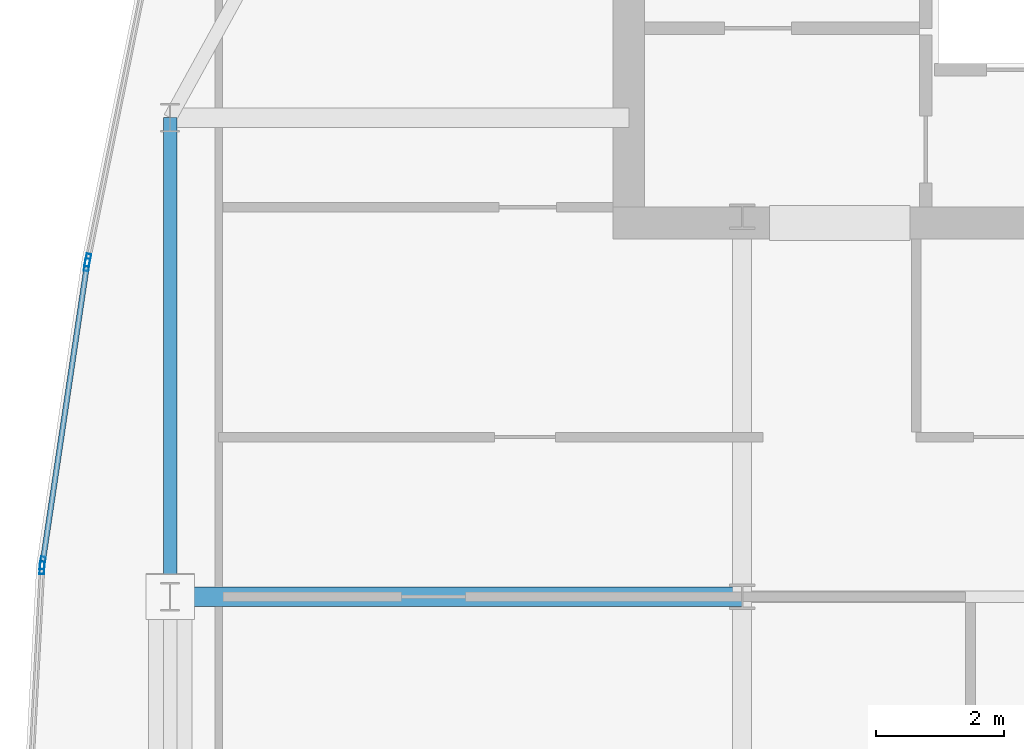
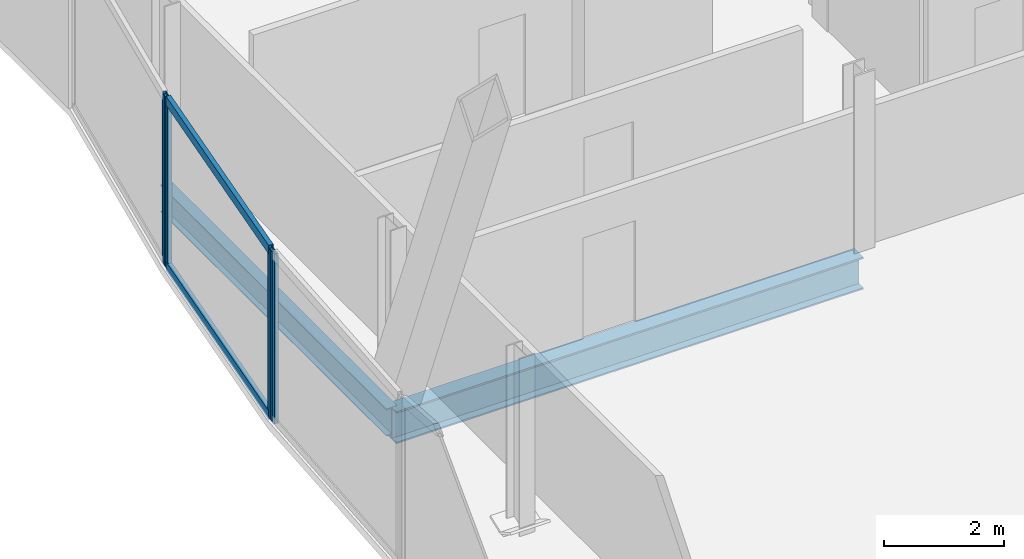
# One storey, part 12 of 31: 6 members, 2 beams, 3 elements without a shape of their own.
"""IFC4 building model written with IfcOpenShell, lengths in metres."""

import ifcopenshell
import ifcopenshell.guid

model = None  # the IFC model being written
_history = None  # IfcOwnerHistory: only IFC2X3 demands one
_inside = {}  # id of a spatial element -> (the spatial element, [elements in it])
_under = {}  # id of a project, library or spatial element -> (it, [spatial elements below it])
_declared = {}  # id of a project -> (the project, [libraries it declares])
_typed = {}  # id of a type object -> (the type object, [elements of that type])
_made_of = {}  # id of a material, layer set ... -> (it, [elements and type objects made of it])


def new_model(schema):
    """Start an empty IFC model of exactly this schema.

    Asked for "IFC4X3", IfcOpenShell would pick the latest addendum, in which some entities
    have other attributes; the version numbers below select the first issue.
    IFC2X3 requires an IfcOwnerHistory on every rooted entity: one is made here for all.
    """
    global model, _history
    if schema == "IFC4X3":
        model = ifcopenshell.file(schema_version=(4, 3, 0, 0))
    else:
        model = ifcopenshell.file(schema=schema)
    _inside.clear()
    _under.clear()
    _declared.clear()
    _typed.clear()
    _made_of.clear()
    _history = None
    if model.schema == "IFC2X3":
        org = make("IfcOrganization", Name="unknown")
        user = make(
            "IfcPersonAndOrganization",
            ThePerson=make("IfcPerson", FamilyName="unknown"),
            TheOrganization=org,
        )
        app = make(
            "IfcApplication",
            ApplicationDeveloper=org,
            Version="unknown",
            ApplicationFullName="unknown",
            ApplicationIdentifier="unknown",
        )
        _history = make(
            "IfcOwnerHistory",
            OwningUser=user,
            OwningApplication=app,
            ChangeAction="ADDED",
            CreationDate=0,
        )
    return model


def make(cls, **values):
    """One entity of the class cls with the attributes given. An attribute that is None is left unset."""
    return model.create_entity(
        cls, **{name: value for name, value in values.items() if value is not None}
    )


def rooted(cls, **values):
    """An entity with a GlobalId (a new one), such as an element, a storey or a relation."""
    return make(cls, GlobalId=ifcopenshell.guid.new(), OwnerHistory=_history, **values)


def si_unit(unit_type, name, prefix=None):
    """IfcSIUnit, for example si_unit("LENGTHUNIT", "METRE", prefix="MILLI")."""
    return make("IfcSIUnit", UnitType=unit_type, Prefix=prefix, Name=name)


def assignment(units):
    """IfcUnitAssignment: the units of a project."""
    return None if units is None else make("IfcUnitAssignment", Units=units)


def point(xyz):
    """IfcCartesianPoint."""
    return None if xyz is None else make("IfcCartesianPoint", Coordinates=xyz)


def direction(xyz):
    """IfcDirection."""
    return None if xyz is None else make("IfcDirection", DirectionRatios=xyz)


def frame(location, z_axis=None, x_axis=None):
    """IfcAxis2Placement3D, a coordinate frame: its origin and axes. An axis left out is left unset."""
    return make(
        "IfcAxis2Placement3D",
        Location=point(location),
        Axis=direction(z_axis),
        RefDirection=direction(x_axis),
    )


def frame_2d(location, x_axis=None):
    """IfcAxis2Placement2D, a coordinate frame in the plane: its origin and x axis."""
    return make(
        "IfcAxis2Placement2D", Location=point(location), RefDirection=direction(x_axis)
    )


def origin():
    """The frame at (0, 0, 0) with its axes left unset."""
    return frame((0.0, 0.0, 0.0))


def origin_2d():
    """The frame at (0, 0) in the plane with its x axis left unset."""
    return frame_2d((0.0, 0.0))


def place(relative_to, where):
    """IfcLocalPlacement: puts the frame where relative to a parent placement (None: the world)."""
    return make(
        "IfcLocalPlacement", PlacementRelTo=relative_to, RelativePlacement=where
    )


def context(
    kind, dimensions, precision=None, world=None, true_north=None, identifier=None
):
    """IfcGeometricRepresentationContext, for example the 3D "Model" context."""
    return make(
        "IfcGeometricRepresentationContext",
        ContextIdentifier=identifier,
        ContextType=kind,
        CoordinateSpaceDimension=dimensions,
        Precision=precision,
        WorldCoordinateSystem=world,
        TrueNorth=true_north,
    )


def subcontext(parent, identifier, kind, view, scale=None):
    """IfcGeometricRepresentationSubContext, for example "Body" below "Model"."""
    return make(
        "IfcGeometricRepresentationSubContext",
        ContextIdentifier=identifier,
        ContextType=kind,
        ParentContext=parent,
        TargetScale=scale,
        TargetView=view,
    )


def project(units=None, contexts=None):
    """IfcProject with its units and contexts."""
    return rooted(
        "IfcProject",
        Name="project",
        RepresentationContexts=contexts,
        UnitsInContext=assignment(units),
    )


def spatial(cls, under=None, at=None, **own):
    """A site, building, storey or space (cls), placed at a placement, below another one or the project."""
    s = rooted(cls, ObjectPlacement=at, **own)
    if under is not None:
        _under.setdefault(under.id(), (under, []))[1].append(s)
    return s


def profile(cls, at=None, kind="AREA", **sizes):
    """A parametric profile (cls). Its sizes go by their IFC names, for example OverallWidth=200.0."""
    return make(cls, ProfileType=kind, Position=at, **sizes)


def hollow_rectangle(**sizes):
    """IfcRectangleHollowProfileDef."""
    return profile("IfcRectangleHollowProfileDef", **sizes)


def i_section(**sizes):
    """IfcIShapeProfileDef."""
    return profile("IfcIShapeProfileDef", **sizes)


def extrude(swept, where, along, depth):
    """IfcExtrudedAreaSolid: the profile swept, set in the frame where, extruded along a direction by depth."""
    return make(
        "IfcExtrudedAreaSolid",
        SweptArea=swept,
        Position=where,
        ExtrudedDirection=direction(along),
        Depth=depth,
    )


def shape(context_of_items, identifier, shape_type, items):
    """IfcShapeRepresentation: the items that make up one representation, for example the "Body"."""
    return make(
        "IfcShapeRepresentation",
        ContextOfItems=context_of_items,
        RepresentationIdentifier=identifier,
        RepresentationType=shape_type,
        Items=items,
    )


def material(Name=None, Category=None):
    """IfcMaterial."""
    return make("IfcMaterial", Name=Name, Category=Category)


def material_profile(
    of_material, cross_section, Name=None, Category=None, Priority=None
):
    """IfcMaterialProfile: a cross section and its material."""
    return make(
        "IfcMaterialProfile",
        Name=Name,
        Material=of_material,
        Profile=cross_section,
        Priority=Priority,
        Category=Category,
    )


def profile_set(profiles, Name=None, composite=None):
    """IfcMaterialProfileSet."""
    return make(
        "IfcMaterialProfileSet",
        Name=Name,
        MaterialProfiles=profiles,
        CompositeProfile=composite,
    )


def made_of(thing, what):
    """Note that an element or type object is made of a material, layer set ...; save() writes the relation."""
    if what is not None:
        _made_of.setdefault(what.id(), (what, []))[1].append(thing)
    return thing


def type_object(cls, material=None, **own):
    """A type object (cls), such as IfcWallType, which elements share."""
    return made_of(rooted(cls, **own), material)


def element(
    cls,
    number,
    at=None,
    inside=None,
    cuts=None,
    type_object=None,
    material=None,
    context=None,
    identifier="Body",
    shape_type=None,
    held_by="IfcProductDefinitionShape",
    body=None,
    shapes=None,
    **own,
):
    """One element of the class cls, such as IfcWall. Its Tag is "e" and its number.

    at: its placement. inside: the storey or other place that contains it. cuts: it is an
    opening in that element (IfcRelVoidsElement). A single representation is given by context,
    identifier, shape_type and body (its items); several are given by shapes. held_by: the class
    of the entity that holds the representations. save() writes the other relations.
    """
    e = rooted(cls, Tag="e%d" % number, ObjectPlacement=at, **own)
    if body is not None:
        shapes = [shape(context, identifier, shape_type, body)]
    if shapes is not None:
        e.Representation = make(held_by, Representations=shapes)
    if inside is not None:
        _inside.setdefault(inside.id(), (inside, []))[1].append(e)
    if cuts is not None:
        rooted(
            "IfcRelVoidsElement", RelatingBuildingElement=cuts, RelatedOpeningElement=e
        )
    if type_object is not None:
        _typed.setdefault(type_object.id(), (type_object, []))[1].append(e)
    return made_of(e, material)


def aggregate(whole, parts):
    """IfcRelAggregates: a whole, such as a stair, and the parts it consists of."""
    return rooted("IfcRelAggregates", RelatingObject=whole, RelatedObjects=parts)


def save(model, path):
    """Write the relations noted so far, then the file.

    IfcRelAggregates (storeys below a building ...), IfcRelContainedInSpatialStructure (elements
    in a storey), IfcRelDefinesByType, IfcRelAssociatesMaterial and IfcRelDeclares: one each for
    every whole, place, type object, material and project.
    """
    for whole, parts in _under.values():
        aggregate(whole, parts)
    for where, things in _inside.values():
        rooted(
            "IfcRelContainedInSpatialStructure",
            RelatedElements=things,
            RelatingStructure=where,
        )
    for kind, things in _typed.values():
        rooted("IfcRelDefinesByType", RelatedObjects=things, RelatingType=kind)
    for what, things in _made_of.values():
        rooted("IfcRelAssociatesMaterial", RelatedObjects=things, RelatingMaterial=what)
    for by, libraries in _declared.values():
        rooted("IfcRelDeclares", RelatingContext=by, RelatedDefinitions=libraries)
    model.write(path)


model = new_model("IFC4")

# Units and contexts
model_context = context("Model", 3, precision=1e-05, world=origin(), true_north=direction((0.0, 1.0)))
body_context = subcontext(model_context, "Body", "Model", "MODEL_VIEW")
ifc_project = project(units=[si_unit("LENGTHUNIT", "METRE"), si_unit("AREAUNIT", "SQUARE_METRE"), si_unit("VOLUMEUNIT", "CUBIC_METRE"), si_unit("PLANEANGLEUNIT", "RADIAN"), si_unit("MASSUNIT", "GRAM", prefix="KILO")], contexts=[model_context])

# Site, building, storey
site_placement = place(None, origin())
site = spatial("IfcSite", under=ifc_project, at=site_placement, CompositionType="ELEMENT")
building_placement = place(site_placement, origin())
building = spatial("IfcBuilding", under=site, at=building_placement, Name="Khoronbel Lancet Exchange", CompositionType="ELEMENT")
storey_placement = place(building_placement, frame((0.0, 0.0, 273.39990234375)))
storey = spatial("IfcBuildingStorey", under=building, at=storey_placement, Name="L70", CompositionType="ELEMENT", Elevation=273.39990234375)

# Beams
ifc_material_1 = material(Name="Steel S355", Category="steel")
ifc_material_profile_1 = material_profile(ifc_material_1, i_section(OverallWidth=0.300048828125, OverallDepth=0.64990234375, WebThickness=0.01611328125, FlangeThickness=0.031005859375, at=origin_2d()), Name="HEB 650")
ifc_profile_set_1 = profile_set([ifc_material_profile_1], Name="Steel S355")
beam_type_1 = type_object("IfcBeamType", Name="BM-BG4", PredefinedType="BEAM", material=ifc_profile_set_1)
beam_1_placement = place(storey_placement, frame((9.27001953125, 35.699951171875, -0.48486328125), z_axis=(1.0, 0.0, 0.0), x_axis=(0.0, 1.0, 0.0)))
element("IfcBeam", 1, at=beam_1_placement, inside=storey, type_object=beam_type_1, Name="Level L70 west lens tie girder LG4W", PredefinedType="BEAM", context=body_context, shape_type="SweptSolid", body=[
    extrude(i_section(OverallWidth=0.300048828125, OverallDepth=0.64990234375, WebThickness=0.01611328125, FlangeThickness=0.031005859375, at=origin_2d()), origin(), (0.0, 0.0, 1.0), 8.955078125),
])
ifc_material_profile_2 = material_profile(ifc_material_1, i_section(OverallWidth=0.2099609375, OverallDepth=0.550048828125, WebThickness=0.010986328125, FlangeThickness=0.01708984375, at=origin_2d()), Name="IPE 550")
ifc_profile_set_2 = profile_set([ifc_material_profile_2], Name="Steel S355")
beam_type_2 = type_object("IfcBeamType", Name="BM-BSP3", PredefinedType="SPANDREL", material=ifc_profile_set_2)
beam_2_placement = place(storey_placement, frame((9.27001953125, 43.199951171875, -0.434814453125), z_axis=(0.0, -1.0, 0.0), x_axis=(1.0, 0.0, 0.0)))
element("IfcBeam", 2, at=beam_2_placement, inside=storey, type_object=beam_type_2, Name="Level L70 perimeter spandrel beam SP17", PredefinedType="SPANDREL", context=body_context, shape_type="SweptSolid", body=[
    extrude(i_section(OverallWidth=0.2099609375, OverallDepth=0.550048828125, WebThickness=0.010986328125, FlangeThickness=0.01708984375, at=origin_2d()), origin(), (0.0, 0.0, 1.0), 7.5),
])

# Curtain wall, member
ifc_material_2 = material(Name="Low-E Solar Control Insulating Glass", Category="glass")
curtain_wall_type = type_object("IfcCurtainWallType", Name="CW-4", PredefinedType="NOTDEFINED", material=ifc_material_2)
curtain_wall_1_placement = place(storey_placement, origin())
curtain_wall_1 = element("IfcCurtainWall", 3, at=curtain_wall_1_placement, inside=storey, type_object=curtain_wall_type, Name="Unitised curtain wall CW-L70-E07", PredefinedType="NOTDEFINED")
ifc_material_3 = material(Name="Bronze-Anodised Aluminium 6063-T6", Category="aluminium")
ifc_material_profile_3 = material_profile(ifc_material_3, hollow_rectangle(XDim=0.074951171875, YDim=0.199951171875, WallThickness=0.0048828125, at=origin_2d()), Name="ALU MULLION 75x200")
ifc_profile_set_3 = profile_set([ifc_material_profile_3], Name="Bronze-Anodised Aluminium 6063-T6")
member_type_1 = type_object("IfcMemberType", Name="MEM-CWM2", PredefinedType="MULLION", material=ifc_profile_set_3)
member_1_placement = place(storey_placement, frame((7.265869140625, 36.153564453125, 0.0), z_axis=(0.0, 0.0, 1.0), x_axis=(-0.998521367155, 0.05436064141, 0.0)))
member_1 = element("IfcMember", 4, at=member_1_placement, type_object=member_type_1, Name="CW4 mullion 2", PredefinedType="MULLION", context=body_context, shape_type="SweptSolid", body=[
    extrude(hollow_rectangle(XDim=0.074951171875, YDim=0.199951171875, WallThickness=0.0048828125, at=origin_2d()), origin(), (0.0, 0.0, 1.0), 3.440185546875),
])
aggregate(curtain_wall_1, [member_1])

# Curtain wall, members
curtain_wall_2_placement = place(storey_placement, origin())
curtain_wall_2 = element("IfcCurtainWall", 5, at=curtain_wall_2_placement, inside=storey, type_object=curtain_wall_type, Name="Unitised curtain wall CW-L70-E08", PredefinedType="NOTDEFINED")
member_2_placement = place(storey_placement, frame((7.2734375, 36.22802734375, 0.0), z_axis=(0.0, 0.0, 1.0), x_axis=(-0.989113824461, 0.147152445645, 0.0)))
member_2 = element("IfcMember", 6, at=member_2_placement, type_object=member_type_1, Name="CW4 mullion 1", PredefinedType="MULLION", context=body_context, shape_type="SweptSolid", body=[
    extrude(hollow_rectangle(XDim=0.074951171875, YDim=0.199951171875, WallThickness=0.0048828125, at=origin_2d()), origin(), (0.0, 0.0, 1.0), 3.440185546875),
])
member_3_placement = place(storey_placement, frame((7.968017578125, 40.897216796875, 0.0), z_axis=(0.0, 0.0, 1.0), x_axis=(-0.989113824461, 0.147152445645, 0.0)))
member_3 = element("IfcMember", 7, at=member_3_placement, type_object=member_type_1, Name="CW4 mullion 2", PredefinedType="MULLION", context=body_context, shape_type="SweptSolid", body=[
    extrude(hollow_rectangle(XDim=0.074951171875, YDim=0.199951171875, WallThickness=0.0048828125, at=origin_2d()), origin(), (0.0, 0.0, 1.0), 3.440185546875),
])

# Curtain wall, member
curtain_wall_3_placement = place(storey_placement, origin())
curtain_wall_3 = element("IfcCurtainWall", 8, at=curtain_wall_3_placement, inside=storey, type_object=curtain_wall_type, Name="Unitised curtain wall CW-L70-E09", PredefinedType="NOTDEFINED")
member_4_placement = place(storey_placement, frame((7.98095703125, 40.97119140625, 0.0), z_axis=(0.0, 0.0, 1.0), x_axis=(-0.979973815588, 0.199126393935, 0.0)))
member_4 = element("IfcMember", 9, at=member_4_placement, type_object=member_type_1, Name="CW4 mullion 1", PredefinedType="MULLION", context=body_context, shape_type="SweptSolid", body=[
    extrude(hollow_rectangle(XDim=0.074951171875, YDim=0.199951171875, WallThickness=0.0048828125, at=origin_2d()), origin(), (0.0, 0.0, 1.0), 3.440185546875),
])
aggregate(curtain_wall_3, [member_4])

# Member
ifc_material_profile_4 = material_profile(ifc_material_3, hollow_rectangle(XDim=0.0849609375, YDim=0.179931640625, WallThickness=0.0048828125, at=origin_2d()), Name="ALU TRANSOM 85x180")
ifc_profile_set_4 = profile_set([ifc_material_profile_4], Name="Bronze-Anodised Aluminium 6063-T6")
member_type_2 = type_object("IfcMemberType", Name="MEM-CWT1", PredefinedType="USERDEFINED", material=ifc_profile_set_4)
member_5_placement = place(storey_placement, frame((7.27880859375, 36.26513671875, 0.04248046875), z_axis=(0.147150497841, 0.989114114238, 0.0), x_axis=(-0.989114114238, 0.147150497841, 0.0)))
member_5 = element("IfcMember", 10, at=member_5_placement, type_object=member_type_2, Name="CW4 transom 1.1", ObjectType="TRANSOM", PredefinedType="USERDEFINED", context=body_context, shape_type="SweptSolid", body=[
    extrude(hollow_rectangle(XDim=0.0849609375, YDim=0.179931640625, WallThickness=0.0048828125, at=origin_2d()), origin(), (0.0, 0.0, 1.0), 4.6455078125),
])

member_6_placement = place(storey_placement, frame((7.27880859375, 36.26513671875, 3.397705078125), z_axis=(0.147150497841, 0.989114114238, 0.0), x_axis=(-0.989114114238, 0.147150497841, 0.0)))
member_6 = element("IfcMember", 11, at=member_6_placement, type_object=member_type_2, Name="CW4 transom 1.2", ObjectType="TRANSOM", PredefinedType="USERDEFINED", context=body_context, shape_type="SweptSolid", body=[
    extrude(hollow_rectangle(XDim=0.0849609375, YDim=0.179931640625, WallThickness=0.0048828125, at=origin_2d()), origin(), (0.0, 0.0, 1.0), 4.6455078125),
])

aggregate(curtain_wall_2, [member_2, member_3, member_5, member_6])

save(model, "model.ifc")
